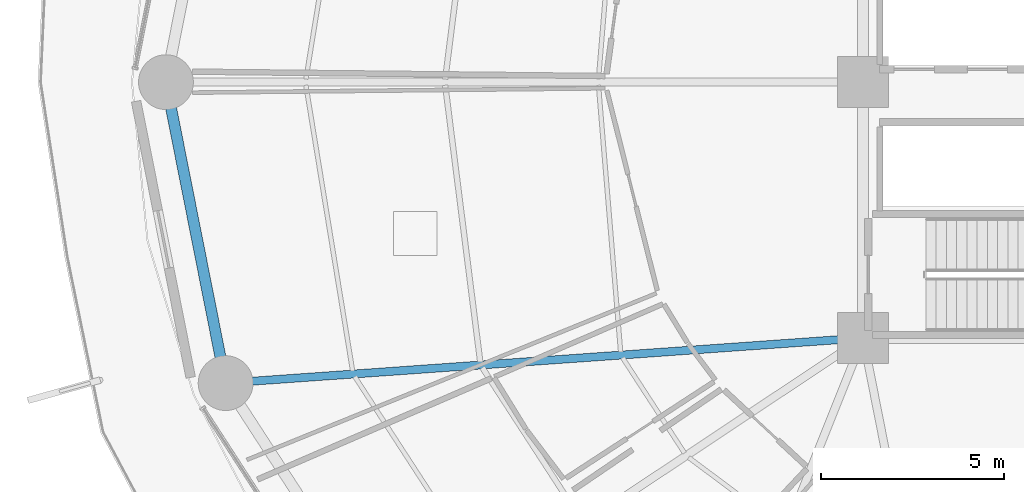
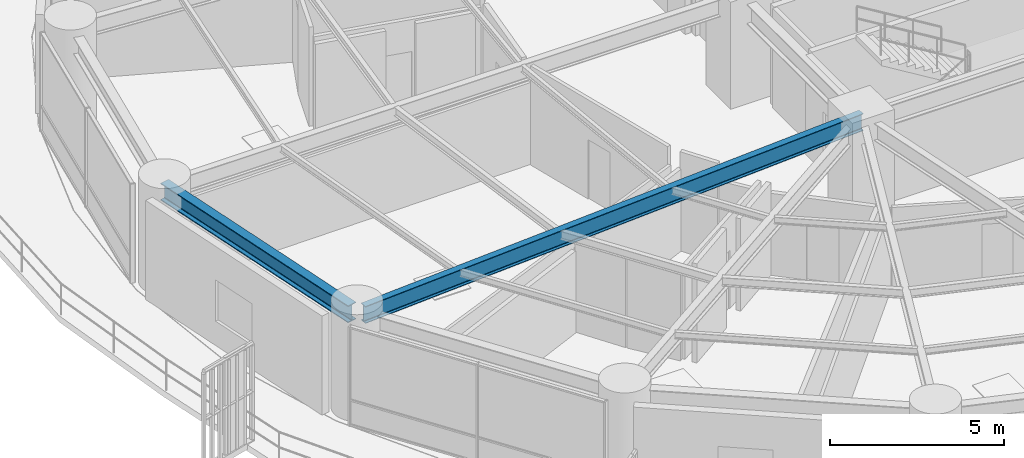
# One storey, part 5 of 33: 2 beams.
"""IFC4 building model written with IfcOpenShell, lengths in metres."""

from ifc_helpers import new_model, si_unit, direction, frame, origin, origin_2d, place, context, subcontext, project, spatial, i_section, extrude, material, material_profile, profile_set, type_object, element, save


model = new_model("IFC4")

# Units and contexts
model_context = context("Model", 3, precision=1e-05, world=origin(), true_north=direction((0.0, 1.0)))
body_context = subcontext(model_context, "Body", "Model", "MODEL_VIEW")
ifc_project = project(units=[si_unit("LENGTHUNIT", "METRE"), si_unit("AREAUNIT", "SQUARE_METRE"), si_unit("VOLUMEUNIT", "CUBIC_METRE"), si_unit("PLANEANGLEUNIT", "RADIAN"), si_unit("MASSUNIT", "GRAM", prefix="KILO")], contexts=[model_context])

# Site, building, storey
site_placement = place(None, origin())
site = spatial("IfcSite", under=ifc_project, at=site_placement, CompositionType="ELEMENT")
building_placement = place(site_placement, origin())
building = spatial("IfcBuilding", under=site, at=building_placement, Name="Kelanora Arch Commons", CompositionType="ELEMENT")
storey_placement = place(building_placement, frame((0.0, 0.0, 26.25)))
storey = spatial("IfcBuildingStorey", under=building, at=storey_placement, Name="L06", CompositionType="ELEMENT", Elevation=26.25)

# Beams
ifc_material = material(Name="Steel S355", Category="steel")
ifc_material_profile_1 = material_profile(ifc_material, i_section(OverallWidth=0.219970703125, OverallDepth=0.60009765625, WebThickness=0.011962890625, FlangeThickness=0.01904296875, FilletRadius=0.02392578125, at=origin_2d()), Name="IPE600")
ifc_profile_set_1 = profile_set([ifc_material_profile_1], Name="Steel S355")
beam_type_1 = type_object("IfcBeamType", Name="BM-RAD-Z1", PredefinedType="BEAM", material=ifc_profile_set_1)
beam_1_placement = place(storey_placement, frame((66.0, 51.0, 3.18994140625), z_axis=(-0.997500932078, -0.070653312055, 0.0), x_axis=(0.070653312055, -0.997500932078, 0.0)))
element("IfcBeam", 1, at=beam_1_placement, inside=storey, type_object=beam_type_1, Name="Radial Floor Girder BR-20 L06", PredefinedType="BEAM", context=body_context, shape_type="SweptSolid", body=[
    extrude(i_section(OverallWidth=0.219970703125, OverallDepth=0.60009765625, WebThickness=0.011962890625, FlangeThickness=0.01904296875, FilletRadius=0.02392578125, at=origin_2d()), origin(), (0.0, 0.0, 1.0), 17.2705078125),
])
ifc_material_profile_2 = material_profile(ifc_material, i_section(OverallWidth=0.300048828125, OverallDepth=0.60009765625, WebThickness=0.015380859375, FlangeThickness=0.030029296875, FilletRadius=0.027099609375, at=origin_2d()), Name="HEB600")
ifc_profile_set_2 = profile_set([ifc_material_profile_2], Name="Steel S355")
beam_type_2 = type_object("IfcBeamType", Name="BM-SPN-Z1", PredefinedType="SPANDREL", material=ifc_profile_set_2)
beam_2_placement = place(storey_placement, frame((46.919921875, 58.0, 3.18994140625), z_axis=(0.194508025468, -0.980900926714, 0.0), x_axis=(0.980900926714, 0.194508025468, 0.0)))
element("IfcBeam", 2, at=beam_2_placement, inside=storey, type_object=beam_type_2, Name="Perimeter Spandrel Beam BS-18 L06", PredefinedType="SPANDREL", context=body_context, shape_type="SweptSolid", body=[
    extrude(i_section(OverallWidth=0.300048828125, OverallDepth=0.60009765625, WebThickness=0.015380859375, FlangeThickness=0.030029296875, FilletRadius=0.027099609375, at=origin_2d()), origin(), (0.0, 0.0, 1.0), 8.17626953125),
])

save(model, "model.ifc")
